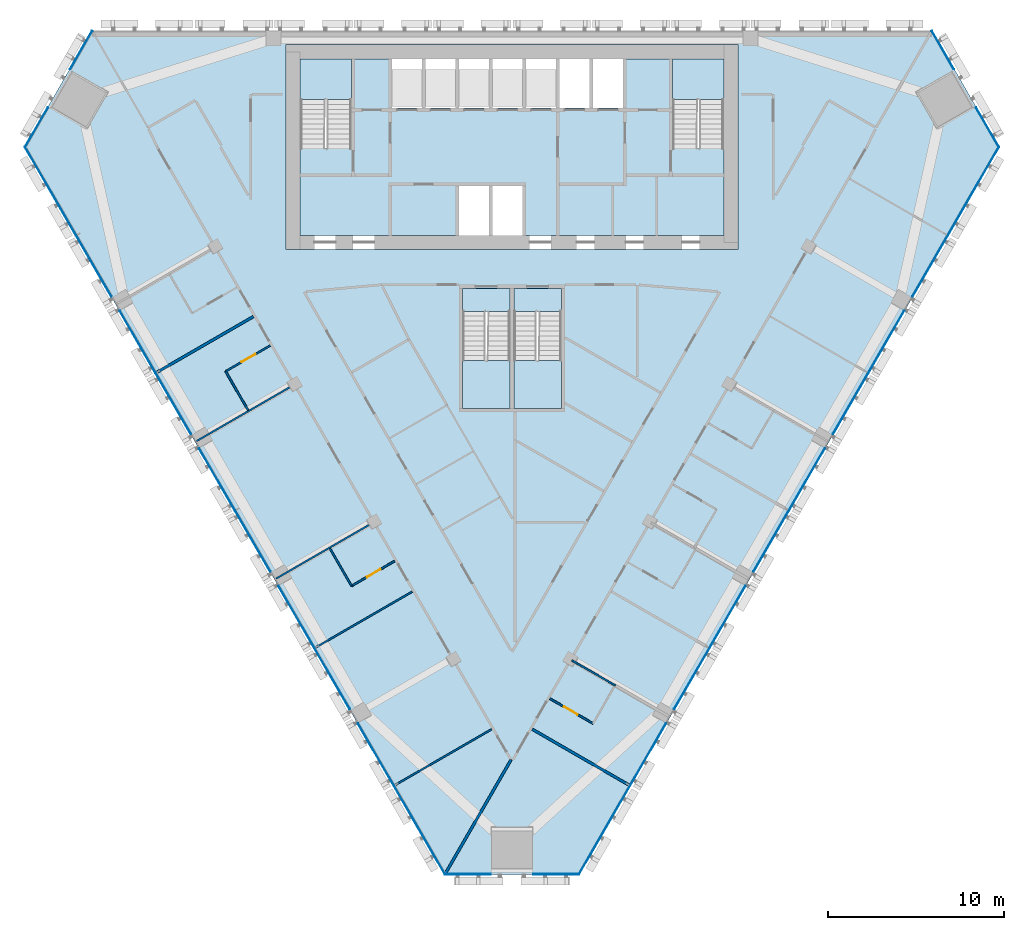
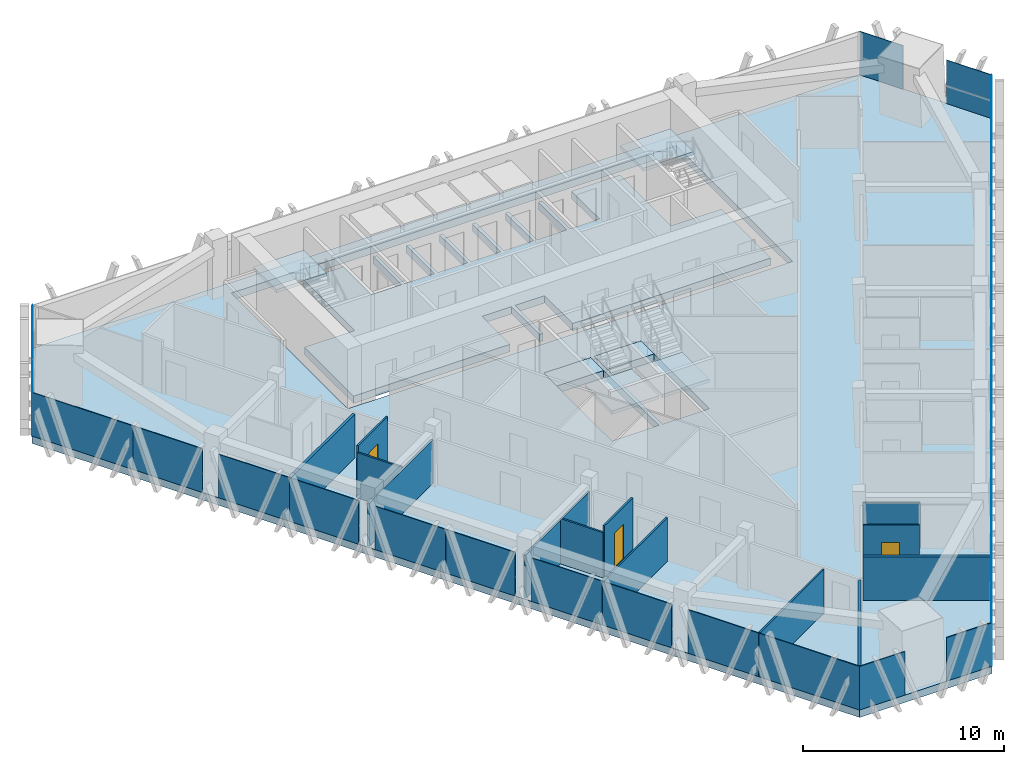
# One storey, part 8 of 16: 26 plates, 13 walls, 8 slabs, 3 doors, 3 openings, 9 elements without a shape of their own.
"""IFC4 building model written with IfcOpenShell, lengths in metres."""

from ifc_helpers import new_model, si_unit, direction, frame, frame_2d, origin, origin_2d, place, context, subcontext, project, spatial, polyline, rectangle, outline, extrude, material, layer, layer_set, type_object, element, fill, aggregate, save


model = new_model("IFC4")

# Units and contexts
model_context = context("Model", 3, precision=1e-05, world=origin(), true_north=direction((0.0, 1.0)))
body_context = subcontext(model_context, "Body", "Model", "MODEL_VIEW")
ifc_project = project(units=[si_unit("LENGTHUNIT", "METRE"), si_unit("AREAUNIT", "SQUARE_METRE"), si_unit("VOLUMEUNIT", "CUBIC_METRE"), si_unit("PLANEANGLEUNIT", "RADIAN"), si_unit("MASSUNIT", "GRAM", prefix="KILO")], contexts=[model_context])

# Site, building, storey
site_placement = place(None, origin())
site = spatial("IfcSite", under=ifc_project, at=site_placement, CompositionType="ELEMENT")
building_placement = place(site_placement, origin())
building = spatial("IfcBuilding", under=site, at=building_placement, Name="Altiplano Prism Tower", CompositionType="ELEMENT")
storey_placement = place(building_placement, frame((0.0, 0.0, 138.60009765625)))
storey = spatial("IfcBuildingStorey", under=building, at=storey_placement, Name="L35", CompositionType="ELEMENT", Elevation=138.60009765625)

# Curtain wall, plates
ifc_material_1 = material(Name="Aluminium and glass", Category="aluminium")
ifc_layer_1 = layer(ifc_material_1, 0.280029296875)
ifc_layer_set_1 = layer_set([ifc_layer_1], Name="Aluminium and glass")
curtain_wall_type = type_object("IfcCurtainWallType", Name="CW1 typical co-living unitised curtain wall", PredefinedType="NOTDEFINED", material=ifc_layer_set_1)
curtain_wall_1_placement = place(storey_placement, origin())
curtain_wall_1 = element("IfcCurtainWall", 1, at=curtain_wall_1_placement, inside=storey, type_object=curtain_wall_type, Name="CW1 curtain wall north-west chamfer L35", PredefinedType="NOTDEFINED")
ifc_material_2 = material(Name="Clear glass", Category="glass")
ifc_layer_2 = layer(ifc_material_2, 0.0400390625)
ifc_layer_set_2 = layer_set([ifc_layer_2], Name="Clear glass")
plate_type = type_object("IfcPlateType", Name="CW1 insulated glass unit 40", PredefinedType="CURTAIN_PANEL", material=ifc_layer_set_2)
plate_1_placement = place(storey_placement, frame((60.585693359375, 103.895751953125, 0.0), z_axis=(0.0, 0.0, 1.0), x_axis=(-0.500000004021, -0.866025401463, 0.0)))
plate_1 = element("IfcPlate", 2, at=plate_1_placement, type_object=plate_type, Name="CW1 panel", PredefinedType="CURTAIN_PANEL", context=body_context, shape_type="SweptSolid", body=[
    extrude(rectangle(XDim=2.51708984375, YDim=0.0400390625, at=origin_2d()), origin(), (0.0, 0.0, 1.0), 2.64990234375),
])
plate_2_placement = place(storey_placement, frame((58.062255859375, 99.52490234375, 0.0), z_axis=(0.0, 0.0, 1.0), x_axis=(-0.500000004021, -0.866025401463, 0.0)))
plate_2 = element("IfcPlate", 3, at=plate_2_placement, type_object=plate_type, Name="CW1 panel", PredefinedType="CURTAIN_PANEL", context=body_context, shape_type="SweptSolid", body=[
    extrude(rectangle(XDim=2.596923828125, YDim=0.0400390625, at=origin_2d()), origin(), (0.0, 0.0, 1.0), 2.64990234375),
])
aggregate(curtain_wall_1, [plate_1, plate_2])

curtain_wall_2_placement = place(storey_placement, origin())
curtain_wall_2 = element("IfcCurtainWall", 4, at=curtain_wall_2_placement, inside=storey, type_object=curtain_wall_type, Name="CW1 curtain wall south-west face L35", PredefinedType="NOTDEFINED")
plate_3_placement = place(storey_placement, frame((58.860595703125, 95.90478515625, 0.0), z_axis=(0.0, 0.0, 1.0), x_axis=(0.499999990009, -0.866025409553, 0.0)))
plate_3 = element("IfcPlate", 5, at=plate_3_placement, type_object=plate_type, Name="CW1 panel", PredefinedType="CURTAIN_PANEL", context=body_context, shape_type="SweptSolid", body=[
    extrude(rectangle(XDim=5.789794921875, YDim=0.0400390625, at=origin_2d()), origin(), (0.0, 0.0, 1.0), 2.64990234375),
])
plate_4_placement = place(storey_placement, frame((61.309326171875, 91.663330078125, 0.0), z_axis=(0.0, 0.0, 1.0), x_axis=(0.499999990009, -0.866025409553, 0.0)))
plate_4 = element("IfcPlate", 6, at=plate_4_placement, type_object=plate_type, Name="CW1 panel", PredefinedType="CURTAIN_PANEL", context=body_context, shape_type="SweptSolid", body=[
    extrude(rectangle(XDim=3.985595703125, YDim=0.0400390625, at=origin_2d()), origin(), (0.0, 0.0, 1.0), 2.64990234375),
])
plate_5_placement = place(storey_placement, frame((63.7919921875, 87.363525390625, 0.0), z_axis=(0.0, 0.0, 1.0), x_axis=(0.499999990009, -0.866025409553, 0.0)))
plate_5 = element("IfcPlate", 7, at=plate_5_placement, type_object=plate_type, Name="CW1 panel", PredefinedType="CURTAIN_PANEL", context=body_context, shape_type="SweptSolid", body=[
    extrude(rectangle(XDim=4.064453125, YDim=0.0400390625, at=origin_2d()), origin(), (0.0, 0.0, 1.0), 2.64990234375),
])
plate_6_placement = place(storey_placement, frame((65.809326171875, 83.869140625, 0.0), z_axis=(0.0, 0.0, 1.0), x_axis=(0.499999990009, -0.866025409553, 0.0)))
plate_6 = element("IfcPlate", 8, at=plate_6_placement, type_object=plate_type, Name="CW1 panel", PredefinedType="CURTAIN_PANEL", context=body_context, shape_type="SweptSolid", body=[
    extrude(rectangle(XDim=3.985595703125, YDim=0.0400390625, at=origin_2d()), origin(), (0.0, 0.0, 1.0), 2.64990234375),
])
plate_7_placement = place(storey_placement, frame((68.2919921875, 79.569091796875, 0.0), z_axis=(0.0, 0.0, 1.0), x_axis=(0.499999990009, -0.866025409553, 0.0)))
plate_7 = element("IfcPlate", 9, at=plate_7_placement, type_object=plate_type, Name="CW1 panel", PredefinedType="CURTAIN_PANEL", context=body_context, shape_type="SweptSolid", body=[
    extrude(rectangle(XDim=4.064453125, YDim=0.0400390625, at=origin_2d()), origin(), (0.0, 0.0, 1.0), 2.64990234375),
])
plate_8_placement = place(storey_placement, frame((70.309326171875, 76.07470703125, 0.0), z_axis=(0.0, 0.0, 1.0), x_axis=(0.499999990009, -0.866025409553, 0.0)))
plate_8 = element("IfcPlate", 10, at=plate_8_placement, type_object=plate_type, Name="CW1 panel", PredefinedType="CURTAIN_PANEL", context=body_context, shape_type="SweptSolid", body=[
    extrude(rectangle(XDim=3.985595703125, YDim=0.0400390625, at=origin_2d()), origin(), (0.0, 0.0, 1.0), 2.64990234375),
])
plate_9_placement = place(storey_placement, frame((72.7919921875, 71.77490234375, 0.0), z_axis=(0.0, 0.0, 1.0), x_axis=(0.499999990009, -0.866025409553, 0.0)))
plate_9 = element("IfcPlate", 11, at=plate_9_placement, type_object=plate_type, Name="CW1 panel", PredefinedType="CURTAIN_PANEL", context=body_context, shape_type="SweptSolid", body=[
    extrude(rectangle(XDim=4.064453125, YDim=0.0400390625, at=origin_2d()), origin(), (0.0, 0.0, 1.0), 2.64990234375),
])
plate_10_placement = place(storey_placement, frame((74.809326171875, 68.280517578125, 0.0), z_axis=(0.0, 0.0, 1.0), x_axis=(0.499999990009, -0.866025409553, 0.0)))
plate_10 = element("IfcPlate", 12, at=plate_10_placement, type_object=plate_type, Name="CW1 panel", PredefinedType="CURTAIN_PANEL", context=body_context, shape_type="SweptSolid", body=[
    extrude(rectangle(XDim=3.985595703125, YDim=0.0400390625, at=origin_2d()), origin(), (0.0, 0.0, 1.0), 2.64990234375),
])
plate_11_placement = place(storey_placement, frame((77.2919921875, 63.980712890625, 0.0), z_axis=(0.0, 0.0, 1.0), x_axis=(0.499999990009, -0.866025409553, 0.0)))
plate_11 = element("IfcPlate", 13, at=plate_11_placement, type_object=plate_type, Name="CW1 panel", PredefinedType="CURTAIN_PANEL", context=body_context, shape_type="SweptSolid", body=[
    extrude(rectangle(XDim=4.064453125, YDim=0.0400390625, at=origin_2d()), origin(), (0.0, 0.0, 1.0), 2.64990234375),
])
plate_12_placement = place(storey_placement, frame((79.760498046875, 59.705078125, 0.0), z_axis=(0.0, 0.0, 1.0), x_axis=(0.499999990009, -0.866025409553, 0.0)))
plate_12 = element("IfcPlate", 14, at=plate_12_placement, type_object=plate_type, Name="CW1 panel", PredefinedType="CURTAIN_PANEL", context=body_context, shape_type="SweptSolid", body=[
    extrude(rectangle(XDim=5.789794921875, YDim=0.0400390625, at=origin_2d()), origin(), (0.0, 0.0, 1.0), 2.64990234375),
])
aggregate(curtain_wall_2, [plate_3, plate_4, plate_5, plate_6, plate_7, plate_8, plate_9, plate_10, plate_11, plate_12])

curtain_wall_3_placement = place(storey_placement, origin())
curtain_wall_3 = element("IfcCurtainWall", 15, at=curtain_wall_3_placement, inside=storey, type_object=curtain_wall_type, Name="CW1 curtain wall south chamfer L35", PredefinedType="NOTDEFINED")
plate_13_placement = place(storey_placement, frame((82.49658203125, 57.20361328125, 0.0), z_axis=(0.0, 0.0, 1.0), x_axis=(1.0, 0.0, 0.0)))
plate_13 = element("IfcPlate", 16, at=plate_13_placement, type_object=plate_type, Name="CW1 panel", PredefinedType="CURTAIN_PANEL", context=body_context, shape_type="SweptSolid", body=[
    extrude(rectangle(XDim=2.596923828125, YDim=0.0400390625, at=origin_2d()), origin(), (0.0, 0.0, 1.0), 2.64990234375),
])
plate_14_placement = place(storey_placement, frame((87.50341796875, 57.20361328125, 0.0), z_axis=(0.0, 0.0, 1.0), x_axis=(1.0, 0.0, 0.0)))
plate_14 = element("IfcPlate", 17, at=plate_14_placement, type_object=plate_type, Name="CW1 panel", PredefinedType="CURTAIN_PANEL", context=body_context, shape_type="SweptSolid", body=[
    extrude(rectangle(XDim=2.596923828125, YDim=0.0400390625, at=origin_2d()), origin(), (0.0, 0.0, 1.0), 2.64990234375),
])
aggregate(curtain_wall_3, [plate_13, plate_14])

curtain_wall_4_placement = place(storey_placement, origin())
curtain_wall_4 = element("IfcCurtainWall", 18, at=curtain_wall_4_placement, inside=storey, type_object=curtain_wall_type, Name="CW1 curtain wall south-east face L35", PredefinedType="NOTDEFINED")
plate_15_placement = place(storey_placement, frame((90.239501953125, 59.705078125, 0.0), z_axis=(0.0, 0.0, 1.0), x_axis=(0.499999990009, 0.866025409553, 0.0)))
plate_15 = element("IfcPlate", 19, at=plate_15_placement, type_object=plate_type, Name="CW1 panel", PredefinedType="CURTAIN_PANEL", context=body_context, shape_type="SweptSolid", body=[
    extrude(rectangle(XDim=5.789794921875, YDim=0.0400390625, at=origin_2d()), origin(), (0.0, 0.0, 1.0), 2.64990234375),
])
plate_16_placement = place(storey_placement, frame((92.7080078125, 63.980712890625, 0.0), z_axis=(0.0, 0.0, 1.0), x_axis=(0.499999990009, 0.866025409553, 0.0)))
plate_16 = element("IfcPlate", 20, at=plate_16_placement, type_object=plate_type, Name="CW1 panel", PredefinedType="CURTAIN_PANEL", context=body_context, shape_type="SweptSolid", body=[
    extrude(rectangle(XDim=4.064453125, YDim=0.0400390625, at=origin_2d()), origin(), (0.0, 0.0, 1.0), 2.64990234375),
])
plate_17_placement = place(storey_placement, frame((95.190673828125, 68.280517578125, 0.0), z_axis=(0.0, 0.0, 1.0), x_axis=(0.499999990009, 0.866025409553, 0.0)))
plate_17 = element("IfcPlate", 21, at=plate_17_placement, type_object=plate_type, Name="CW1 panel", PredefinedType="CURTAIN_PANEL", context=body_context, shape_type="SweptSolid", body=[
    extrude(rectangle(XDim=3.985595703125, YDim=0.0400390625, at=origin_2d()), origin(), (0.0, 0.0, 1.0), 2.64990234375),
])
plate_18_placement = place(storey_placement, frame((97.2080078125, 71.77490234375, 0.0), z_axis=(0.0, 0.0, 1.0), x_axis=(0.499999990009, 0.866025409553, 0.0)))
plate_18 = element("IfcPlate", 22, at=plate_18_placement, type_object=plate_type, Name="CW1 panel", PredefinedType="CURTAIN_PANEL", context=body_context, shape_type="SweptSolid", body=[
    extrude(rectangle(XDim=4.064453125, YDim=0.0400390625, at=origin_2d()), origin(), (0.0, 0.0, 1.0), 2.64990234375),
])
plate_19_placement = place(storey_placement, frame((99.690673828125, 76.07470703125, 0.0), z_axis=(0.0, 0.0, 1.0), x_axis=(0.499999990009, 0.866025409553, 0.0)))
plate_19 = element("IfcPlate", 23, at=plate_19_placement, type_object=plate_type, Name="CW1 panel", PredefinedType="CURTAIN_PANEL", context=body_context, shape_type="SweptSolid", body=[
    extrude(rectangle(XDim=3.985595703125, YDim=0.0400390625, at=origin_2d()), origin(), (0.0, 0.0, 1.0), 2.64990234375),
])
plate_20_placement = place(storey_placement, frame((101.7080078125, 79.569091796875, 0.0), z_axis=(0.0, 0.0, 1.0), x_axis=(0.499999990009, 0.866025409553, 0.0)))
plate_20 = element("IfcPlate", 24, at=plate_20_placement, type_object=plate_type, Name="CW1 panel", PredefinedType="CURTAIN_PANEL", context=body_context, shape_type="SweptSolid", body=[
    extrude(rectangle(XDim=4.064453125, YDim=0.0400390625, at=origin_2d()), origin(), (0.0, 0.0, 1.0), 2.64990234375),
])
plate_21_placement = place(storey_placement, frame((104.190673828125, 83.869140625, 0.0), z_axis=(0.0, 0.0, 1.0), x_axis=(0.499999990009, 0.866025409553, 0.0)))
plate_21 = element("IfcPlate", 25, at=plate_21_placement, type_object=plate_type, Name="CW1 panel", PredefinedType="CURTAIN_PANEL", context=body_context, shape_type="SweptSolid", body=[
    extrude(rectangle(XDim=3.985595703125, YDim=0.0400390625, at=origin_2d()), origin(), (0.0, 0.0, 1.0), 2.64990234375),
])
plate_22_placement = place(storey_placement, frame((106.2080078125, 87.363525390625, 0.0), z_axis=(0.0, 0.0, 1.0), x_axis=(0.499999990009, 0.866025409553, 0.0)))
plate_22 = element("IfcPlate", 26, at=plate_22_placement, type_object=plate_type, Name="CW1 panel", PredefinedType="CURTAIN_PANEL", context=body_context, shape_type="SweptSolid", body=[
    extrude(rectangle(XDim=4.064453125, YDim=0.0400390625, at=origin_2d()), origin(), (0.0, 0.0, 1.0), 2.64990234375),
])
plate_23_placement = place(storey_placement, frame((108.690673828125, 91.663330078125, 0.0), z_axis=(0.0, 0.0, 1.0), x_axis=(0.499999990009, 0.866025409553, 0.0)))
plate_23 = element("IfcPlate", 27, at=plate_23_placement, type_object=plate_type, Name="CW1 panel", PredefinedType="CURTAIN_PANEL", context=body_context, shape_type="SweptSolid", body=[
    extrude(rectangle(XDim=3.985595703125, YDim=0.0400390625, at=origin_2d()), origin(), (0.0, 0.0, 1.0), 2.64990234375),
])
plate_24_placement = place(storey_placement, frame((111.139404296875, 95.90478515625, 0.0), z_axis=(0.0, 0.0, 1.0), x_axis=(0.499999990009, 0.866025409553, 0.0)))
plate_24 = element("IfcPlate", 28, at=plate_24_placement, type_object=plate_type, Name="CW1 panel", PredefinedType="CURTAIN_PANEL", context=body_context, shape_type="SweptSolid", body=[
    extrude(rectangle(XDim=5.789794921875, YDim=0.0400390625, at=origin_2d()), origin(), (0.0, 0.0, 1.0), 2.64990234375),
])
aggregate(curtain_wall_4, [plate_15, plate_16, plate_17, plate_18, plate_19, plate_20, plate_21, plate_22, plate_23, plate_24])

curtain_wall_5_placement = place(storey_placement, origin())
curtain_wall_5 = element("IfcCurtainWall", 29, at=curtain_wall_5_placement, inside=storey, type_object=curtain_wall_type, Name="CW1 curtain wall north-east chamfer L35", PredefinedType="NOTDEFINED")
plate_25_placement = place(storey_placement, frame((111.937744140625, 99.52490234375, 0.0), z_axis=(0.0, 0.0, 1.0), x_axis=(-0.500000004021, 0.866025401463, 0.0)))
plate_25 = element("IfcPlate", 30, at=plate_25_placement, type_object=plate_type, Name="CW1 panel", PredefinedType="CURTAIN_PANEL", context=body_context, shape_type="SweptSolid", body=[
    extrude(rectangle(XDim=2.596923828125, YDim=0.0400390625, at=origin_2d()), origin(), (0.0, 0.0, 1.0), 2.64990234375),
])
plate_26_placement = place(storey_placement, frame((109.414306640625, 103.895751953125, 0.0), z_axis=(0.0, 0.0, 1.0), x_axis=(-0.500000004021, 0.866025401463, 0.0)))
plate_26 = element("IfcPlate", 31, at=plate_26_placement, type_object=plate_type, Name="CW1 panel", PredefinedType="CURTAIN_PANEL", context=body_context, shape_type="SweptSolid", body=[
    extrude(rectangle(XDim=2.51708984375, YDim=0.0400390625, at=origin_2d()), origin(), (0.0, 0.0, 1.0), 2.64990234375),
])
aggregate(curtain_wall_5, [plate_25, plate_26])

# Slabs
ifc_material_3 = material(Name="Concrete C40/50", Category="concrete")
ifc_layer_3 = layer(ifc_material_3, 0.449951171875)
ifc_layer_set_3 = layer_set([ifc_layer_3], Name="Concrete C40/50")
slab_type_1 = type_object("IfcSlabType", Name="Core floor slab 450", PredefinedType="FLOOR", material=ifc_layer_set_3)
slab_1_placement = place(storey_placement, frame((0.0, 0.0, -0.4501953125)))
element("IfcSlab", 32, at=slab_1_placement, inside=storey, type_object=slab_type_1, Name="Core floor slab L35", PredefinedType="FLOOR", context=body_context, shape_type="SweptSolid", body=[
    extrude(outline(polyline([(97.0, 98.31005859375), (94.10009765625, 98.31005859375), (94.10009765625, 103.39990234375), (91.300048828125, 103.39990234375), (91.300048828125, 100.60009765625), (89.60009765625, 100.60009765625), (89.60009765625, 103.39990234375), (89.39990234375, 103.39990234375), (89.39990234375, 100.60009765625), (87.699951171875, 100.60009765625), (87.699951171875, 103.39990234375), (87.5, 103.39990234375), (87.5, 100.60009765625), (85.800048828125, 100.60009765625), (85.800048828125, 103.39990234375), (85.60009765625, 103.39990234375), (85.60009765625, 100.60009765625), (83.89990234375, 100.60009765625), (83.89990234375, 103.39990234375), (83.699951171875, 103.39990234375), (83.699951171875, 100.60009765625), (82.0, 100.60009765625), (82.0, 103.39990234375), (81.800048828125, 103.39990234375), (81.800048828125, 100.60009765625), (80.10009765625, 100.60009765625), (80.10009765625, 103.39990234375), (79.89990234375, 103.39990234375), (79.89990234375, 100.60009765625), (78.199951171875, 100.60009765625), (78.199951171875, 103.39990234375), (75.89990234375, 103.39990234375), (75.89990234375, 98.31005859375), (73.0, 98.31005859375), (73.0, 93.39990234375), (82.0, 93.39990234375), (82.0, 96.199951171875), (83.699951171875, 96.199951171875), (83.699951171875, 93.39990234375), (83.89990234375, 93.39990234375), (83.89990234375, 96.199951171875), (85.60009765625, 96.199951171875), (85.60009765625, 93.39990234375), (97.0, 93.39990234375), (97.0, 98.31005859375)])), origin(), (0.0, 0.0, 1.0), 0.4501953125),
])
slab_2_placement = place(storey_placement, frame((0.0, 0.0, -0.4501953125)))
element("IfcSlab", 33, at=slab_2_placement, inside=storey, type_object=slab_type_1, Name="Stair 3A landing slab L35", PredefinedType="FLOOR", context=body_context, shape_type="SweptSolid", body=[
    extrude(outline(polyline([(82.199951171875, 89.096923828125), (84.89990234375, 89.096923828125), (84.89990234375, 90.39990234375), (82.199951171875, 90.39990234375), (82.199951171875, 89.096923828125)])), origin(), (0.0, 0.0, 1.0), 0.4501953125),
])
slab_3_placement = place(storey_placement, frame((0.0, 0.0, -0.4501953125)))
element("IfcSlab", 34, at=slab_3_placement, inside=storey, type_object=slab_type_1, Name="Stair 3B landing slab L35", PredefinedType="FLOOR", context=body_context, shape_type="SweptSolid", body=[
    extrude(outline(polyline([(85.10009765625, 89.096923828125), (87.800048828125, 89.096923828125), (87.800048828125, 90.39990234375), (85.10009765625, 90.39990234375), (85.10009765625, 89.096923828125)])), origin(), (0.0, 0.0, 1.0), 0.4501953125),
])
ifc_layer_4 = layer(ifc_material_3, 0.449951171875)
ifc_layer_set_4 = layer_set([ifc_layer_4], Name="Concrete C40/50")
slab_type_2 = type_object("IfcSlabType", Name="Post-tensioned flat slab 450", PredefinedType="FLOOR", material=ifc_layer_set_4)
slab_4_placement = place(storey_placement, frame((0.0, 0.0, -0.4501953125)))
element("IfcSlab", 35, at=slab_4_placement, inside=storey, type_object=slab_type_2, Name="Floor slab L35", PredefinedType="FLOOR", context=body_context, shape_type="SweptSolid", body=[
    extrude(outline(polyline([(81.193115234375, 57.18359375), (57.393310546875, 98.40625), (61.2001953125, 105.0), (108.7998046875, 105.0), (112.606689453125, 98.40625), (88.806884765625, 57.18359375), (81.193115234375, 57.18359375)]), holes=[polyline([(72.199951171875, 104.199951171875), (72.199951171875, 92.60009765625), (97.800048828125, 92.60009765625), (97.800048828125, 104.199951171875), (72.199951171875, 104.199951171875)]), polyline([(84.89990234375, 90.39990234375), (82.199951171875, 90.39990234375), (82.199951171875, 83.60009765625), (84.89990234375, 83.60009765625), (84.89990234375, 90.39990234375)]), polyline([(87.800048828125, 83.60009765625), (87.800048828125, 90.39990234375), (85.10009765625, 90.39990234375), (85.10009765625, 83.60009765625), (87.800048828125, 83.60009765625)])]), origin(), (0.0, 0.0, 1.0), 0.4501953125),
])

# Stair, slab
stair_type_1 = type_object("IfcStairType", Name="Exit stair 1400", PredefinedType="HALF_TURN_STAIR", material=ifc_material_3)
stair_1_placement = place(storey_placement, origin())
stair_1 = element("IfcStair", 36, at=stair_1_placement, inside=storey, type_object=stair_type_1, Name="L35 Exit Stair 1", PredefinedType="HALF_TURN_STAIR")
ifc_layer_5 = layer(ifc_material_3, 0.199951171875)
ifc_layer_set_5 = layer_set([ifc_layer_5], Name="Concrete C40/50")
slab_type_3 = type_object("IfcSlabType", Name="Stair landing 200", PredefinedType="LANDING", material=ifc_layer_set_5)
slab_5_placement = place(storey_placement, frame((0.0, 0.0, 1.599853515625)))
slab_5 = element("IfcSlab", 37, at=slab_5_placement, type_object=slab_type_3, Name="ST1 landing 1", PredefinedType="LANDING", context=body_context, shape_type="SweptSolid", body=[
    extrude(outline(polyline([(75.89990234375, 101.096923828125), (75.89990234375, 103.39990234375), (73.0, 103.39990234375), (73.0, 101.096923828125), (75.89990234375, 101.096923828125)])), origin(), (0.0, 0.0, 1.0), 0.199951171875),
])
aggregate(stair_1, [slab_5])

stair_2_placement = place(storey_placement, origin())
stair_2 = element("IfcStair", 38, at=stair_2_placement, inside=storey, type_object=stair_type_1, Name="L35 Exit Stair 2", PredefinedType="HALF_TURN_STAIR")
slab_6_placement = place(storey_placement, frame((0.0, 0.0, 1.599853515625)))
slab_6 = element("IfcSlab", 39, at=slab_6_placement, type_object=slab_type_3, Name="ST2 landing 1", PredefinedType="LANDING", context=body_context, shape_type="SweptSolid", body=[
    extrude(outline(polyline([(97.0, 101.096923828125), (97.0, 103.39990234375), (94.10009765625, 103.39990234375), (94.10009765625, 101.096923828125), (97.0, 101.096923828125)])), origin(), (0.0, 0.0, 1.0), 0.199951171875),
])
aggregate(stair_2, [slab_6])

stair_type_2 = type_object("IfcStairType", Name="Exit stair 1300", PredefinedType="HALF_TURN_STAIR", material=ifc_material_3)
stair_3_placement = place(storey_placement, origin())
stair_3 = element("IfcStair", 40, at=stair_3_placement, inside=storey, type_object=stair_type_2, Name="L35 Exit Stair 3A", PredefinedType="HALF_TURN_STAIR")
slab_7_placement = place(storey_placement, frame((0.0, 0.0, 1.599853515625)))
slab_7 = element("IfcSlab", 41, at=slab_7_placement, type_object=slab_type_3, Name="ST3A landing 1", PredefinedType="LANDING", context=body_context, shape_type="SweptSolid", body=[
    extrude(outline(polyline([(82.199951171875, 86.302978515625), (82.199951171875, 83.60009765625), (84.89990234375, 83.60009765625), (84.89990234375, 86.302978515625), (82.199951171875, 86.302978515625)])), origin(), (0.0, 0.0, 1.0), 0.199951171875),
])
aggregate(stair_3, [slab_7])

stair_4_placement = place(storey_placement, origin())
stair_4 = element("IfcStair", 42, at=stair_4_placement, inside=storey, type_object=stair_type_2, Name="L35 Exit Stair 3B", PredefinedType="HALF_TURN_STAIR")
slab_8_placement = place(storey_placement, frame((0.0, 0.0, 1.599853515625)))
slab_8 = element("IfcSlab", 43, at=slab_8_placement, type_object=slab_type_3, Name="ST3B landing 1", PredefinedType="LANDING", context=body_context, shape_type="SweptSolid", body=[
    extrude(outline(polyline([(85.10009765625, 86.302978515625), (85.10009765625, 83.60009765625), (87.800048828125, 83.60009765625), (87.800048828125, 86.302978515625), (85.10009765625, 86.302978515625)])), origin(), (0.0, 0.0, 1.0), 0.199951171875),
])
aggregate(stair_4, [slab_8])

# Wall
ifc_material_4 = material(Name="Plasterboard on steel stud", Category="steel")
ifc_layer_6 = layer(ifc_material_4, 0.10009765625)
ifc_layer_set_6 = layer_set([ifc_layer_6], Name="Plasterboard on steel stud")
wall_type_1 = type_object("IfcWallType", Name="Partition 100 unit", PredefinedType="PARTITIONING", material=ifc_layer_set_6)
wall_1_placement = place(storey_placement, frame((70.04931640625, 83.4853515625, 0.0), z_axis=(0.0, 0.0, 1.0), x_axis=(-0.500062241894, 0.865989465428, 0.0)))
element("IfcWall", 44, at=wall_1_placement, inside=storey, type_object=wall_type_1, Name="Partition P02 L35 033", PredefinedType="PARTITIONING", context=body_context, shape_type="SweptSolid", body=[
    extrude(rectangle(XDim=2.550048828125, YDim=0.10009765625, at=frame_2d((1.27490234375, 0.0))), origin(), (0.0, 0.0, 1.0), 2.75),
])

# Wall, opening, door
wall_2_placement = place(storey_placement, frame((68.774169921875, 85.693603515625, 0.0), z_axis=(0.0, 0.0, 1.0), x_axis=(0.86601045545, 0.500025890382, 0.0)))
wall_2 = element("IfcWall", 45, at=wall_2_placement, inside=storey, type_object=wall_type_1, Name="Partition P02 L35 034", PredefinedType="PARTITIONING", context=body_context, shape_type="SweptSolid", body=[
    extrude(rectangle(XDim=2.925048828125, YDim=0.10009765625, at=frame_2d((1.46240234375, 0.0))), origin(), (0.0, 0.0, 1.0), 3.14990234375),
])
opening_1_placement = place(wall_2_placement, frame((1.050048828125, 0.0, 0.0)))
opening_1 = element("IfcOpeningElement", 46, at=opening_1_placement, cuts=wall_2, Name="Opening D1267", PredefinedType="OPENING", context=body_context, shape_type="SweptSolid", body=[
    extrude(rectangle(XDim=0.89990234375, YDim=2.10009765625, at=frame_2d((0.449951171875, 1.050048828125))), frame((0.0, 0.060546875, 0.0), z_axis=(0.0, -1.0, 0.0), x_axis=(1.0, 0.0, 0.0)), (0.0, 0.0, 1.0), 0.12109375),
])
ifc_material_5 = material(Name="Timber", Category="wood")
door_type = type_object("IfcDoorType", Name="Ensuite door 900 x 2100", OperationType="NOTDEFINED", PredefinedType="NOTDEFINED", material=ifc_material_5)
door_1_placement = place(opening_1_placement, origin())
door_1 = element("IfcDoor", 47, at=door_1_placement, inside=storey, type_object=door_type, Name="Door D1267", OperationType="SINGLE_SWING_RIGHT", OverallHeight=2.10009765625, OverallWidth=0.89990234375, PredefinedType="NOTDEFINED", context=body_context, shape_type="SweptSolid", body=[
    extrude(rectangle(XDim=0.89990234375, YDim=2.10009765625, at=frame_2d((0.449951171875, 1.050048828125))), frame((0.0, 0.02490234375, 0.0), z_axis=(0.0, -1.0, 0.0), x_axis=(1.0, 0.0, 0.0)), (0.0, 0.0, 1.0), 0.050048828125),
])
fill(opening_1, door_1)

wall_3_placement = place(storey_placement, frame((78.357421875, 74.9453125, 0.0), z_axis=(0.0, 0.0, 1.0), x_axis=(-0.866011447264, -0.500024172624, 0.0)))
wall_3 = element("IfcWall", 48, at=wall_3_placement, inside=storey, type_object=wall_type_1, Name="Partition P02 L35 037", PredefinedType="PARTITIONING", context=body_context, shape_type="SweptSolid", body=[
    extrude(rectangle(XDim=2.824951171875, YDim=0.10009765625, at=frame_2d((1.41259765625, 0.0))), origin(), (0.0, 0.0, 1.0), 3.14990234375),
])
opening_2_placement = place(wall_3_placement, frame((0.925048828125, 0.0, 0.0)))
opening_2 = element("IfcOpeningElement", 49, at=opening_2_placement, cuts=wall_3, Name="Opening D1270", PredefinedType="OPENING", context=body_context, shape_type="SweptSolid", body=[
    extrude(rectangle(XDim=0.89990234375, YDim=2.10009765625, at=frame_2d((0.449951171875, 1.050048828125))), frame((0.0, 0.060546875, 0.0), z_axis=(0.0, -1.0, 0.0), x_axis=(1.0, 0.0, 0.0)), (0.0, 0.0, 1.0), 0.12109375),
])
door_2_placement = place(opening_2_placement, origin())
door_2 = element("IfcDoor", 50, at=door_2_placement, inside=storey, type_object=door_type, Name="Door D1270", OperationType="SINGLE_SWING_LEFT", OverallHeight=2.10009765625, OverallWidth=0.89990234375, PredefinedType="NOTDEFINED", context=body_context, shape_type="SweptSolid", body=[
    extrude(rectangle(XDim=0.89990234375, YDim=2.10009765625, at=frame_2d((0.449951171875, 1.050048828125))), frame((0.0, 0.02490234375, 0.0), z_axis=(0.0, -1.0, 0.0), x_axis=(1.0, 0.0, 0.0)), (0.0, 0.0, 1.0), 0.050048828125),
])
fill(opening_2, door_2)

# Wall
wall_4_placement = place(storey_placement, frame((75.910888671875, 73.53271484375, 0.0), z_axis=(0.0, 0.0, 1.0), x_axis=(-0.500018594424, 0.866014668023, 0.0)))
element("IfcWall", 51, at=wall_4_placement, inside=storey, type_object=wall_type_1, Name="Partition P02 L35 038", PredefinedType="PARTITIONING", context=body_context, shape_type="SweptSolid", body=[
    extrude(rectangle(XDim=2.4501953125, YDim=0.10009765625, at=frame_2d((1.22509765625, 0.0))), origin(), (0.0, 0.0, 1.0), 2.75),
])

# Wall, opening, door
wall_5_placement = place(storey_placement, frame((89.589111328125, 65.738525390625, 0.0), z_axis=(0.0, 0.0, 1.0), x_axis=(-0.866011447264, 0.500024172624, 0.0)))
wall_5 = element("IfcWall", 52, at=wall_5_placement, inside=storey, type_object=wall_type_1, Name="Partition P02 L35 044", PredefinedType="PARTITIONING", context=body_context, shape_type="SweptSolid", body=[
    extrude(rectangle(XDim=2.824951171875, YDim=0.10009765625, at=frame_2d((1.41259765625, 0.0))), origin(), (0.0, 0.0, 1.0), 3.14990234375),
])
opening_3_placement = place(wall_5_placement, frame((1.0, 0.0, 0.0)))
opening_3 = element("IfcOpeningElement", 53, at=opening_3_placement, cuts=wall_5, Name="Opening D1275", PredefinedType="OPENING", context=body_context, shape_type="SweptSolid", body=[
    extrude(rectangle(XDim=0.89990234375, YDim=2.10009765625, at=frame_2d((0.449951171875, 1.050048828125))), frame((0.0, 0.060546875, 0.0), z_axis=(0.0, -1.0, 0.0), x_axis=(1.0, 0.0, 0.0)), (0.0, 0.0, 1.0), 0.12109375),
])
door_3_placement = place(opening_3_placement, origin())
door_3 = element("IfcDoor", 54, at=door_3_placement, inside=storey, type_object=door_type, Name="Door D1275", OperationType="SINGLE_SWING_LEFT", OverallHeight=2.10009765625, OverallWidth=0.89990234375, PredefinedType="NOTDEFINED", context=body_context, shape_type="SweptSolid", body=[
    extrude(rectangle(XDim=0.89990234375, YDim=2.10009765625, at=frame_2d((0.449951171875, 1.050048828125))), frame((0.0, 0.02490234375, 0.0), z_axis=(0.0, -1.0, 0.0), x_axis=(1.0, 0.0, 0.0)), (0.0, 0.0, 1.0), 0.050048828125),
])
fill(opening_3, door_3)

# Walls
ifc_layer_7 = layer(ifc_material_4, 0.10009765625)
ifc_layer_set_7 = layer_set([ifc_layer_7], Name="Plasterboard on steel stud")
wall_type_2 = type_object("IfcWallType", Name="Partition 100 wet", PredefinedType="PARTITIONING", material=ifc_layer_set_7)
for number, where, z_axis, x_axis, name in (
    (55, (67.129638671875, 81.741943359375, 0.0), (0.0, 0.0, 1.0), (0.866025537322, 0.499999768706, 0.0), "Partition P03 L35 035"),
    (56, (71.629638671875, 73.94775390625, 0.0), (0.0, 0.0, 1.0), (0.866025537322, 0.499999768706, 0.0), "Partition P03 L35 036"),
):
    element("IfcWall", number, at=place(storey_placement, frame(where, z_axis=z_axis, x_axis=x_axis)), inside=storey, type_object=wall_type_2, Name=name, PredefinedType="PARTITIONING", context=body_context, shape_type="SweptSolid", body=[
        extrude(rectangle(XDim=6.3251953125, YDim=0.10009765625, at=frame_2d((3.16259765625, 0.0))), origin(), (0.0, 0.0, 1.0), 2.64990234375),
    ])
for number, where, z_axis, x_axis, name in (
    (57, (73.8623046875, 70.04052734375, 0.0), (0.0, 0.0, 1.0), (0.866025401434, 0.500000004071, 0.0), "Partition P03 L35 039"),
    (58, (78.3623046875, 62.246337890625, 0.0), (0.0, 0.0, 1.0), (0.866025401434, 0.500000004071, 0.0), "Partition P03 L35 040"),
):
    element("IfcWall", number, at=place(storey_placement, frame(where, z_axis=z_axis, x_axis=x_axis)), inside=storey, type_object=wall_type_2, Name=name, PredefinedType="PARTITIONING", context=body_context, shape_type="SweptSolid", body=[
        extrude(rectangle(XDim=6.34521484375, YDim=0.10009765625, at=frame_2d((3.172607421875, 0.0))), origin(), (0.0, 0.0, 1.0), 2.64990234375),
    ])
wall_6_placement = place(storey_placement, frame((90.8564453125, 67.8935546875, 0.0), z_axis=(0.0, 0.0, 1.0), x_axis=(-0.866011243319, 0.500024525844, 0.0)))
element("IfcWall", 59, at=wall_6_placement, inside=storey, type_object=wall_type_2, Name="Partition P03 L35 046", PredefinedType="PARTITIONING", context=body_context, shape_type="SweptSolid", body=[
    extrude(rectangle(XDim=2.844970703125, YDim=0.10009765625, at=frame_2d((1.42236328125, 0.0))), origin(), (0.0, 0.0, 1.0), 2.75),
])
ifc_layer_8 = layer(ifc_material_4, 0.14990234375)
ifc_layer_set_8 = layer_set([ifc_layer_8], Name="Plasterboard on steel stud")
wall_type_3 = type_object("IfcWallType", Name="Partition 150 party", PredefinedType="PARTITIONING", material=ifc_layer_set_8)
wall_7_placement = place(storey_placement, frame((64.8623046875, 85.629150390625, 0.0), z_axis=(0.0, 0.0, 1.0), x_axis=(0.866025401434, 0.500000004071, 0.0)))
element("IfcWall", 60, at=wall_7_placement, inside=storey, type_object=wall_type_3, Name="Partition P01 L35 032", PredefinedType="PARTITIONING", context=body_context, shape_type="SweptSolid", body=[
    extrude(rectangle(XDim=6.34521484375, YDim=0.14990234375, at=frame_2d((3.172607421875, 0.0))), origin(), (0.0, 0.0, 1.0), 2.64990234375),
])
wall_8_placement = place(storey_placement, frame((81.236083984375, 57.25830078125, 0.0), z_axis=(0.0, 0.0, 1.0), x_axis=(0.500007295633, 0.866021191608, 0.0)))
element("IfcWall", 61, at=wall_8_placement, inside=storey, type_object=wall_type_3, Name="Partition P01 L35 041", PredefinedType="PARTITIONING", context=body_context, shape_type="SweptSolid", body=[
    extrude(rectangle(XDim=7.41943359375, YDim=0.14990234375, at=frame_2d((3.709716796875, 0.0))), origin(), (0.0, 0.0, 1.0), 2.64990234375),
])
wall_9_placement = place(storey_placement, frame((91.6376953125, 62.246337890625, 0.0), z_axis=(0.0, 0.0, 1.0), x_axis=(-0.866025401434, 0.500000004071, 0.0)))
element("IfcWall", 62, at=wall_9_placement, inside=storey, type_object=wall_type_3, Name="Partition P01 L35 042", PredefinedType="PARTITIONING", context=body_context, shape_type="SweptSolid", body=[
    extrude(rectangle(XDim=6.34521484375, YDim=0.14990234375, at=frame_2d((3.172607421875, 0.0))), origin(), (0.0, 0.0, 1.0), 2.64990234375),
])

save(model, "model.ifc")
